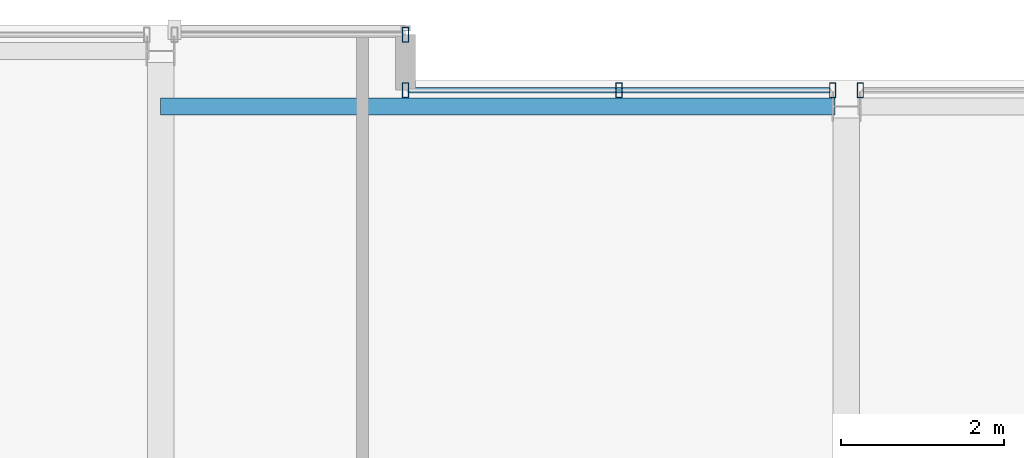
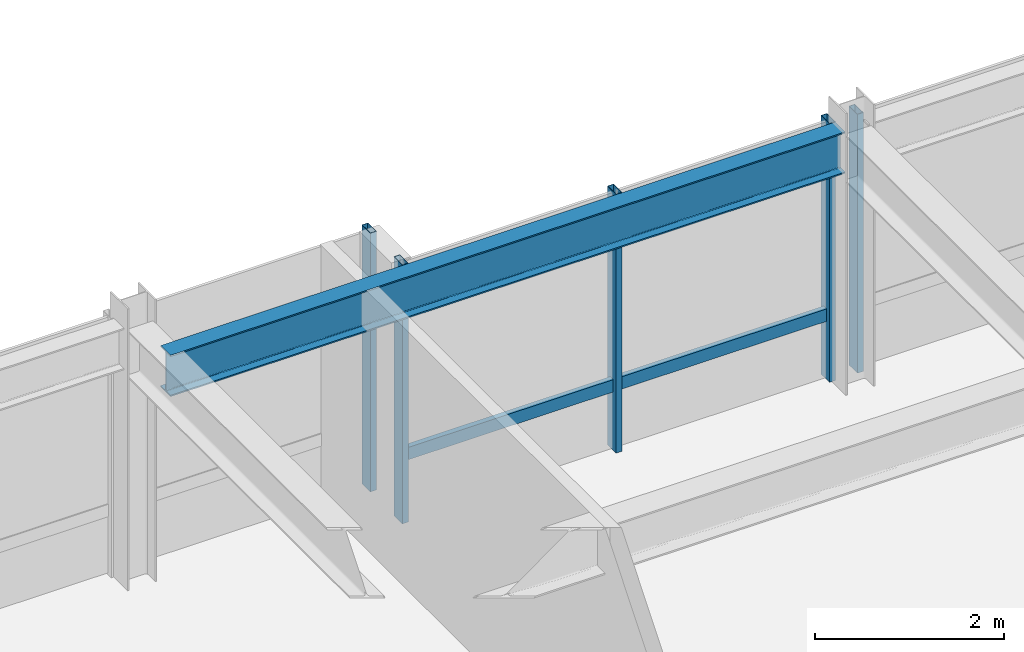
# One storey, part 23 of 34: 6 members, 1 beam, 3 elements without a shape of their own.
"""IFC4 building model written with IfcOpenShell, lengths in metres."""

from ifc_helpers import new_model, si_unit, direction, frame, origin, origin_2d, place, context, subcontext, project, spatial, hollow_rectangle, i_section, extrude, material, layer, layer_set, material_profile, profile_set, type_object, element, aggregate, save


model = new_model("IFC4")

# Units and contexts
model_context = context("Model", 3, precision=1e-05, world=origin(), true_north=direction((0.0, 1.0)))
body_context = subcontext(model_context, "Body", "Model", "MODEL_VIEW")
ifc_project = project(units=[si_unit("LENGTHUNIT", "METRE"), si_unit("AREAUNIT", "SQUARE_METRE"), si_unit("VOLUMEUNIT", "CUBIC_METRE"), si_unit("PLANEANGLEUNIT", "RADIAN"), si_unit("MASSUNIT", "GRAM", prefix="KILO")], contexts=[model_context])

# Site, building, storey
site_placement = place(None, origin())
site = spatial("IfcSite", under=ifc_project, at=site_placement, CompositionType="ELEMENT")
building_placement = place(site_placement, origin())
building = spatial("IfcBuilding", under=site, at=building_placement, Name="Drelvath Grand Hotel", CompositionType="ELEMENT")
storey_placement = place(building_placement, frame((0.0, 0.0, 290.550048828125)))
storey = spatial("IfcBuildingStorey", under=building, at=storey_placement, Name="L76", CompositionType="ELEMENT", Elevation=290.550048828125)

# Curtain wall, member
ifc_material_1 = material(Name="Platinum-Mist Anodised Aluminium Frame", Category="aluminium")
ifc_layer = layer(ifc_material_1, 0.199951171875)
ifc_layer_set = layer_set([ifc_layer], Name="Platinum-Mist Anodised Aluminium Frame")
curtain_wall_type = type_object("IfcCurtainWallType", Name="Stick Curtain Wall CW-05 Platinum Mist High-Rise", PredefinedType="NOTDEFINED", material=ifc_layer_set)
curtain_wall_1_placement = place(storey_placement, origin())
curtain_wall_1 = element("IfcCurtainWall", 1, at=curtain_wall_1_placement, inside=storey, type_object=curtain_wall_type, Name="L76 CW-05 Curtain Wall CW05-L76-NM1", PredefinedType="NOTDEFINED")
ifc_material_profile_1 = material_profile(ifc_material_1, hollow_rectangle(XDim=0.06494140625, YDim=0.159912109375, WallThickness=0.00390625, at=origin_2d()), Name="HSS160X65X4")
ifc_profile_set_1 = profile_set([ifc_material_profile_1], Name="Platinum-Mist Anodised Aluminium Frame")
member_type_1 = type_object("IfcMemberType", Name="Curtain Wall Horizontal Transom CW-05 HSS160X65X4", PredefinedType="USERDEFINED", material=ifc_profile_set_1)
member_1_placement = place(storey_placement, frame((-5.360107421875, 48.39990234375, 0.83740234375), z_axis=(1.0, 0.0, 0.0), x_axis=(0.0, 1.0, 0.0)))
member_1 = element("IfcMember", 2, at=member_1_placement, type_object=member_type_1, Name="CW05-L76-NM1 Sill Transom", ObjectType="TRANSOM", PredefinedType="USERDEFINED", context=body_context, shape_type="SweptSolid", body=[
    extrude(hollow_rectangle(XDim=0.06494140625, YDim=0.159912109375, WallThickness=0.00390625, at=origin_2d()), origin(), (0.0, 0.0, 1.0), 5.14990234375),
])

curtain_wall_2_placement = place(storey_placement, origin())
curtain_wall_2 = element("IfcCurtainWall", 3, at=curtain_wall_2_placement, inside=storey, type_object=curtain_wall_type, Name="L76 CW-05 Curtain Wall CW05-L76-NW2", PredefinedType="NOTDEFINED")
ifc_material_profile_2 = material_profile(ifc_material_1, hollow_rectangle(XDim=0.074951171875, YDim=0.179931640625, WallThickness=0.0048828125, at=origin_2d()), Name="HSS180X75X5")
ifc_profile_set_2 = profile_set([ifc_material_profile_2], Name="Platinum-Mist Anodised Aluminium Frame")
member_type_2 = type_object("IfcMemberType", Name="Curtain Wall Vertical Mullion CW-05 HSS180X75X5", PredefinedType="MULLION", material=ifc_profile_set_2)
member_2_placement = place(storey_placement, frame((-5.39990234375, 49.080078125, 0.0), z_axis=(0.0, 0.0, 1.0), x_axis=(1.0, 0.0, 0.0)))
member_2 = element("IfcMember", 4, at=member_2_placement, type_object=member_type_2, Name="CW05-L76-NW2 Mullion 2", PredefinedType="MULLION", context=body_context, shape_type="SweptSolid", body=[
    extrude(hollow_rectangle(XDim=0.074951171875, YDim=0.179931640625, WallThickness=0.0048828125, at=origin_2d()), origin(), (0.0, 0.0, 1.0), 3.349853515625),
])
aggregate(curtain_wall_2, [member_2])

# Member
member_3_placement = place(storey_placement, frame((-5.39990234375, 48.39990234375, 0.0), z_axis=(0.0, 0.0, 1.0), x_axis=(1.0, 0.0, 0.0)))
member_3 = element("IfcMember", 5, at=member_3_placement, type_object=member_type_2, Name="CW05-L76-NM1 Mullion 1", PredefinedType="MULLION", context=body_context, shape_type="SweptSolid", body=[
    extrude(hollow_rectangle(XDim=0.074951171875, YDim=0.179931640625, WallThickness=0.0048828125, at=origin_2d()), origin(), (0.0, 0.0, 1.0), 3.349853515625),
])

member_4_placement = place(storey_placement, frame((-2.78515625, 48.39990234375, 0.0), z_axis=(0.0, 0.0, 1.0), x_axis=(1.0, 0.0, 0.0)))
member_4 = element("IfcMember", 6, at=member_4_placement, type_object=member_type_2, Name="CW05-L76-NM1 Mullion 2", PredefinedType="MULLION", context=body_context, shape_type="SweptSolid", body=[
    extrude(hollow_rectangle(XDim=0.074951171875, YDim=0.179931640625, WallThickness=0.0048828125, at=origin_2d()), origin(), (0.0, 0.0, 1.0), 3.349853515625),
])

member_5_placement = place(storey_placement, frame((-0.170166015625, 48.39990234375, 0.0), z_axis=(0.0, 0.0, 1.0), x_axis=(1.0, 0.0, 0.0)))
member_5 = element("IfcMember", 7, at=member_5_placement, type_object=member_type_2, Name="CW05-L76-NM1 Mullion 3", PredefinedType="MULLION", context=body_context, shape_type="SweptSolid", body=[
    extrude(hollow_rectangle(XDim=0.074951171875, YDim=0.179931640625, WallThickness=0.0048828125, at=origin_2d()), origin(), (0.0, 0.0, 1.0), 3.349853515625),
])

aggregate(curtain_wall_1, [member_3, member_4, member_5, member_1])

# Curtain wall, member
curtain_wall_3_placement = place(storey_placement, origin())
curtain_wall_3 = element("IfcCurtainWall", 8, at=curtain_wall_3_placement, inside=storey, type_object=curtain_wall_type, Name="L76 CW-05 Curtain Wall CW05-L76-NM2", PredefinedType="NOTDEFINED")
member_6_placement = place(storey_placement, frame((0.170166015625, 48.39990234375, 0.0), z_axis=(0.0, 0.0, 1.0), x_axis=(1.0, 0.0, 0.0)))
member_6 = element("IfcMember", 9, at=member_6_placement, type_object=member_type_2, Name="CW05-L76-NM2 Mullion 1", PredefinedType="MULLION", context=body_context, shape_type="SweptSolid", body=[
    extrude(hollow_rectangle(XDim=0.074951171875, YDim=0.179931640625, WallThickness=0.0048828125, at=origin_2d()), origin(), (0.0, 0.0, 1.0), 3.349853515625),
])
aggregate(curtain_wall_3, [member_6])

# Beam
ifc_material_2 = material(Name="Steel ASTM A992 Gr 50", Category="steel")
ifc_material_profile_3 = material_profile(ifc_material_2, i_section(OverallWidth=0.210205078125, OverallDepth=0.53662109375, WebThickness=0.010986328125, FlangeThickness=0.017333984375, FilletRadius=0.01806640625, at=origin_2d()), Name="W21X68")
ifc_profile_set_3 = profile_set([ifc_material_profile_3], Name="Steel ASTM A992 Gr 50")
beam_type = type_object("IfcBeamType", Name="Perimeter Spandrel Beam W21X68", PredefinedType="SPANDREL", material=ifc_profile_set_3)
beam_placement = place(storey_placement, frame((-8.39990234375, 48.199951171875, 3.08154296875), z_axis=(1.0, 0.0, 0.0), x_axis=(0.0, 1.0, 0.0)))
element("IfcBeam", 10, at=beam_placement, inside=storey, type_object=beam_type, Name="L76 Spandrel North Mid W", PredefinedType="SPANDREL", context=body_context, shape_type="SweptSolid", body=[
    extrude(i_section(OverallWidth=0.210205078125, OverallDepth=0.53662109375, WebThickness=0.010986328125, FlangeThickness=0.017333984375, FilletRadius=0.01806640625, at=origin_2d()), origin(), (0.0, 0.0, 1.0), 8.260009765625),
])

save(model, "model.ifc")
